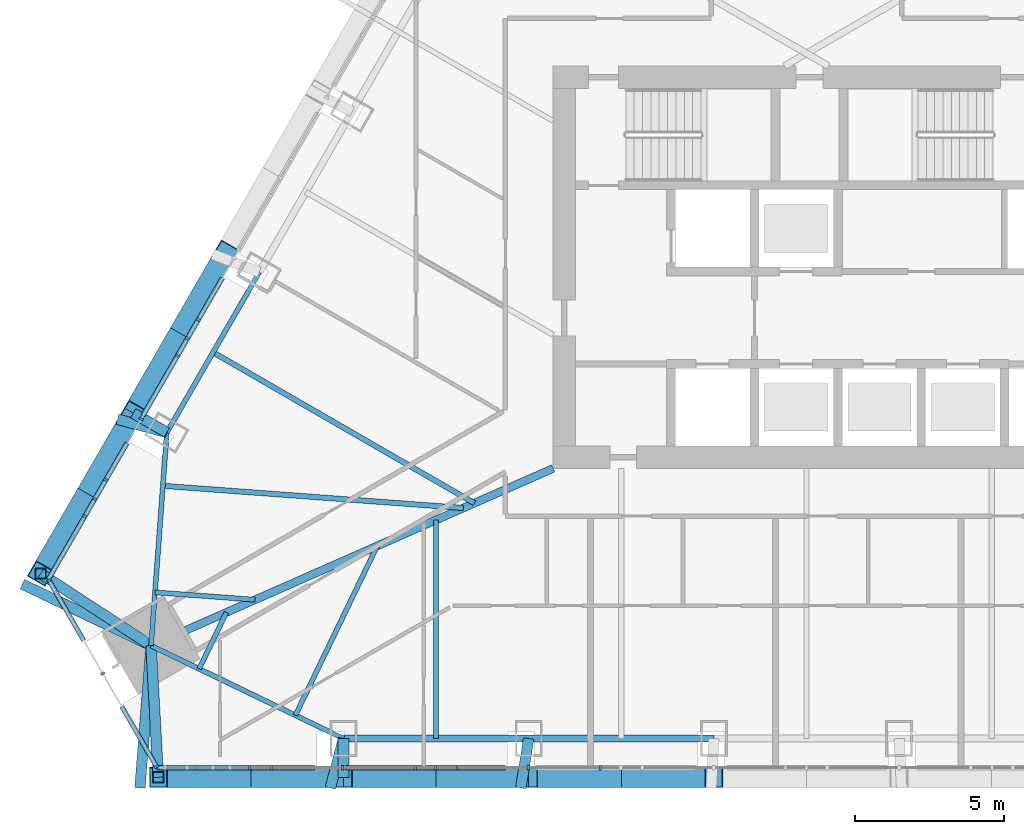
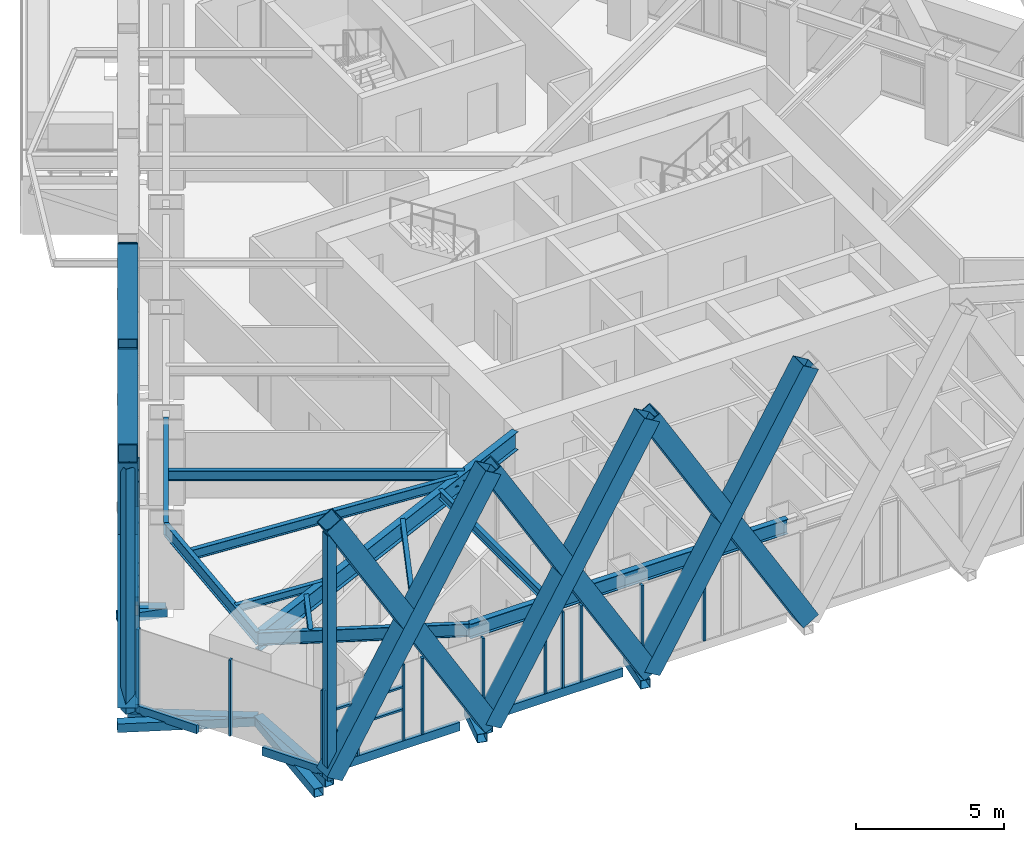
# One storey, part 2 of 23: 49 members, 11 beams, 3 elements without a shape of their own.
"""IFC4 building model written with IfcOpenShell, lengths in metres."""

from ifc_helpers import new_model, si_unit, direction, frame, origin, origin_2d, place, context, subcontext, project, spatial, rectangle, hollow_rectangle, i_section, extrude, material, layer, layer_set, material_profile, profile_set, type_object, element, aggregate, save


model = new_model("IFC4")

# Units and contexts
model_context = context("Model", 3, precision=1e-05, world=origin(), true_north=direction((0.0, 1.0)))
body_context = subcontext(model_context, "Body", "Model", "MODEL_VIEW")
ifc_project = project(units=[si_unit("LENGTHUNIT", "METRE"), si_unit("AREAUNIT", "SQUARE_METRE"), si_unit("VOLUMEUNIT", "CUBIC_METRE"), si_unit("PLANEANGLEUNIT", "RADIAN"), si_unit("MASSUNIT", "GRAM", prefix="KILO")], contexts=[model_context])

# Site, building, storey
site_placement = place(None, origin())
site = spatial("IfcSite", under=ifc_project, at=site_placement, CompositionType="ELEMENT")
building_placement = place(site_placement, origin())
building = spatial("IfcBuilding", under=site, at=building_placement, Name="Firuza Gate Tower and Library", CompositionType="ELEMENT")
storey_placement = place(building_placement, frame((0.0, 0.0, 291.60009765625)))
storey = spatial("IfcBuildingStorey", under=building, at=storey_placement, Name="L70", CompositionType="ELEMENT", Elevation=291.60009765625)

# Members
ifc_material_1 = material(Name="Steel S355", Category="steel")
ifc_material_profile_1 = material_profile(ifc_material_1, hollow_rectangle(XDim=0.699951171875, YDim=0.699951171875, WallThickness=0.030029296875, at=origin_2d()))
ifc_profile_set_1 = profile_set([ifc_material_profile_1], Name="Steel S355")
member_type_1 = type_object("IfcMemberType", Name="BU700x700x30 Lattice brace", PredefinedType="BRACE", material=ifc_profile_set_1)
for number, where, z_axis, x_axis, name in (
    (1, (53.25341796875, 57.8876953125, 0.0), (0.509251027788, 0.0, 0.860618028336), (0.0, 1.0, 0.0), "Lattice brace S 18.1R"),
    (2, (59.466552734375, 57.8876953125, 0.0), (-0.509251027788, 0.0, 0.860618028336), (0.0, -1.0, 0.0), "Lattice brace S 18.1L"),
):
    element("IfcMember", number, at=place(storey_placement, frame(where, z_axis=z_axis, x_axis=x_axis)), inside=storey, type_object=member_type_1, Name=name, PredefinedType="BRACE", context=body_context, shape_type="SweptSolid", body=[
        extrude(hollow_rectangle(XDim=0.699951171875, YDim=0.699951171875, WallThickness=0.030029296875, at=origin_2d()), origin(), (0.0, 0.0, 1.0), 12.200439453125),
    ])
for number, where, z_axis, x_axis, name in (
    (3, (59.466552734375, 57.8876953125, 0.0), (0.509265848717, 0.0, 0.860609258218), (0.0, 1.0, 0.0), "Lattice brace S 18.2R"),
    (4, (65.679931640625, 57.8876953125, 0.0), (-0.509265848717, 0.0, 0.860609258218), (0.0, -1.0, 0.0), "Lattice brace S 18.2L"),
    (5, (65.679931640625, 57.8876953125, 0.0), (0.509265848717, 0.0, 0.860609258218), (0.0, 1.0, 0.0), "Lattice brace S 18.3R"),
    (6, (71.893310546875, 57.8876953125, 0.0), (-0.509265848717, 0.0, 0.860609258218), (0.0, -1.0, 0.0), "Lattice brace S 18.3L"),
    (7, (55.520263671875, 75.48486328125, 0.0), (-0.254633703079, -0.441031576884, 0.860611890138), (0.866021999733, -0.500005895944, 0.0), "Lattice brace W 18.6R"),
    (8, (52.41357421875, 70.10400390625, 0.0), (0.254633703079, 0.441031576884, 0.860611890138), (-0.866021999733, 0.500005895944, 0.0), "Lattice brace W 18.6L"),
    (9, (52.41357421875, 70.10400390625, 0.0), (-0.254631455847, -0.441047694957, 0.860604294938), (0.866031822762, -0.49998888184, 0.0), "Lattice brace W 18.7R"),
    (10, (49.306884765625, 64.722900390625, 0.0), (0.254631455847, 0.441047694957, 0.860604294938), (-0.866031822762, 0.49998888184, 0.0), "Lattice brace W 18.7L"),
):
    element("IfcMember", number, at=place(storey_placement, frame(where, z_axis=z_axis, x_axis=x_axis)), inside=storey, type_object=member_type_1, Name=name, PredefinedType="BRACE", context=body_context, shape_type="SweptSolid", body=[
        extrude(hollow_rectangle(XDim=0.699951171875, YDim=0.699951171875, WallThickness=0.030029296875, at=origin_2d()), origin(), (0.0, 0.0, 1.0), 12.20068359375),
    ])

# Curtain wall, members
ifc_material_2 = material(Name="Aluminium 6063-T6", Category="aluminium")
ifc_layer_1 = layer(ifc_material_2, 0.14990234375)
ifc_layer_set_1 = layer_set([ifc_layer_1], Name="Unitised curtain wall, residences")
curtain_wall_type_1 = type_object("IfcCurtainWallType", Name="Unitised curtain wall, residences", PredefinedType="NOTDEFINED", material=ifc_layer_set_1)
placement = place(storey_placement, origin())
curtain_wall_1 = element("IfcCurtainWall", 11, at=placement, inside=storey, type_object=curtain_wall_type_1, Name="CW3 L70 S face", PredefinedType="NOTDEFINED")
ifc_material_3 = material(Name="Aluminium 6063-T6", Category="aluminium")
ifc_material_profile_2 = material_profile(ifc_material_3, rectangle(XDim=0.14990234375, YDim=0.080078125, at=origin_2d()))
ifc_profile_set_2 = profile_set([ifc_material_profile_2], Name="Aluminium 6063-T6")
member_type_2 = type_object("IfcMemberType", Name="Curtain wall mullion 80x150", PredefinedType="MULLION", material=ifc_profile_set_2)
member_1_placement = place(storey_placement, frame((53.25, 58.212646484375, 0.14990234375), z_axis=(0.0, 0.0, 1.0), x_axis=(0.0, 1.0, 0.0)))
member_1 = element("IfcMember", 12, at=member_1_placement, type_object=member_type_2, Name="Mullion", PredefinedType="MULLION", context=body_context, shape_type="SweptSolid", body=[
    extrude(rectangle(XDim=0.14990234375, YDim=0.080078125, at=origin_2d()), origin(), (0.0, 0.0, 1.0), 3.14990234375),
])
member_2_placement = place(storey_placement, frame((56.322998046875, 58.212646484375, 0.14990234375), z_axis=(0.0, 0.0, 1.0), x_axis=(0.0, 1.0, 0.0)))
member_2 = element("IfcMember", 13, at=member_2_placement, type_object=member_type_2, Name="Mullion", PredefinedType="MULLION", context=body_context, shape_type="SweptSolid", body=[
    extrude(rectangle(XDim=0.14990234375, YDim=0.080078125, at=origin_2d()), origin(), (0.0, 0.0, 1.0), 3.14990234375),
])
member_3_placement = place(storey_placement, frame((59.435791015625, 58.212646484375, 0.14990234375), z_axis=(0.0, 0.0, 1.0), x_axis=(0.0, 1.0, 0.0)))
member_3 = element("IfcMember", 14, at=member_3_placement, type_object=member_type_2, Name="Mullion", PredefinedType="MULLION", context=body_context, shape_type="SweptSolid", body=[
    extrude(rectangle(XDim=0.14990234375, YDim=0.080078125, at=origin_2d()), origin(), (0.0, 0.0, 1.0), 3.14990234375),
])
member_4_placement = place(storey_placement, frame((62.548583984375, 58.212646484375, 0.14990234375), z_axis=(0.0, 0.0, 1.0), x_axis=(0.0, 1.0, 0.0)))
member_4 = element("IfcMember", 15, at=member_4_placement, type_object=member_type_2, Name="Mullion", PredefinedType="MULLION", context=body_context, shape_type="SweptSolid", body=[
    extrude(rectangle(XDim=0.14990234375, YDim=0.080078125, at=origin_2d()), origin(), (0.0, 0.0, 1.0), 3.14990234375),
])
member_5_placement = place(storey_placement, frame((65.661376953125, 58.212646484375, 0.14990234375), z_axis=(0.0, 0.0, 1.0), x_axis=(0.0, 1.0, 0.0)))
member_5 = element("IfcMember", 16, at=member_5_placement, type_object=member_type_2, Name="Mullion", PredefinedType="MULLION", context=body_context, shape_type="SweptSolid", body=[
    extrude(rectangle(XDim=0.14990234375, YDim=0.080078125, at=origin_2d()), origin(), (0.0, 0.0, 1.0), 3.14990234375),
])
member_6_placement = place(storey_placement, frame((54.539306640625, 58.212646484375, 0.14990234375), z_axis=(0.0, 0.0, 1.0), x_axis=(0.0, 1.0, 0.0)))
member_6 = element("IfcMember", 17, at=member_6_placement, type_object=member_type_2, Name="Mullion", PredefinedType="MULLION", context=body_context, shape_type="SweptSolid", body=[
    extrude(rectangle(XDim=0.14990234375, YDim=0.080078125, at=origin_2d()), origin(), (0.0, 0.0, 1.0), 1.260009765625),
])
member_7_placement = place(storey_placement, frame((57.062255859375, 58.212646484375, 0.14990234375), z_axis=(0.0, 0.0, 1.0), x_axis=(0.0, 1.0, 0.0)))
member_7 = element("IfcMember", 18, at=member_7_placement, type_object=member_type_2, Name="Mullion", PredefinedType="MULLION", context=body_context, shape_type="SweptSolid", body=[
    extrude(rectangle(XDim=0.14990234375, YDim=0.080078125, at=origin_2d()), origin(), (0.0, 0.0, 1.0), 3.14990234375),
])
member_8_placement = place(storey_placement, frame((61.87109375, 58.212646484375, 0.14990234375), z_axis=(0.0, 0.0, 1.0), x_axis=(0.0, 1.0, 0.0)))
member_8 = element("IfcMember", 19, at=member_8_placement, type_object=member_type_2, Name="Mullion", PredefinedType="MULLION", context=body_context, shape_type="SweptSolid", body=[
    extrude(rectangle(XDim=0.14990234375, YDim=0.080078125, at=origin_2d()), origin(), (0.0, 0.0, 1.0), 3.14990234375),
])
member_9_placement = place(storey_placement, frame((63.275634765625, 58.212646484375, 0.14990234375), z_axis=(0.0, 0.0, 1.0), x_axis=(0.0, 1.0, 0.0)))
member_9 = element("IfcMember", 20, at=member_9_placement, type_object=member_type_2, Name="Mullion", PredefinedType="MULLION", context=body_context, shape_type="SweptSolid", body=[
    extrude(rectangle(XDim=0.14990234375, YDim=0.080078125, at=origin_2d()), origin(), (0.0, 0.0, 1.0), 3.14990234375),
])
member_10_placement = place(storey_placement, frame((68.08447265625, 58.212646484375, 0.14990234375), z_axis=(0.0, 0.0, 1.0), x_axis=(0.0, 1.0, 0.0)))
member_10 = element("IfcMember", 21, at=member_10_placement, type_object=member_type_2, Name="Mullion", PredefinedType="MULLION", context=body_context, shape_type="SweptSolid", body=[
    extrude(rectangle(XDim=0.14990234375, YDim=0.080078125, at=origin_2d()), origin(), (0.0, 0.0, 1.0), 3.14990234375),
])

curtain_wall_2 = element("IfcCurtainWall", 22, at=placement, inside=storey, type_object=curtain_wall_type_1, Name="CW3 L70 W face", PredefinedType="NOTDEFINED")
member_11_placement = place(storey_placement, frame((54.236083984375, 72.6103515625, 0.14990234375), z_axis=(0.0, 0.0, 1.0), x_axis=(0.866025403784, -0.5, 0.0)))
member_11 = element("IfcMember", 23, at=member_11_placement, type_object=member_type_2, Name="Mullion", PredefinedType="MULLION", context=body_context, shape_type="SweptSolid", body=[
    extrude(rectangle(XDim=0.14990234375, YDim=0.080078125, at=origin_2d()), origin(), (0.0, 0.0, 1.0), 3.14990234375),
])
member_12_placement = place(storey_placement, frame((52.6796875, 69.91455078125, 0.14990234375), z_axis=(0.0, 0.0, 1.0), x_axis=(0.866025403784, -0.5, 0.0)))
member_12 = element("IfcMember", 24, at=member_12_placement, type_object=member_type_2, Name="Mullion", PredefinedType="MULLION", context=body_context, shape_type="SweptSolid", body=[
    extrude(rectangle(XDim=0.14990234375, YDim=0.080078125, at=origin_2d()), origin(), (0.0, 0.0, 1.0), 3.14990234375),
])
member_13_placement = place(storey_placement, frame((51.123046875, 67.21875, 0.14990234375), z_axis=(0.0, 0.0, 1.0), x_axis=(0.866025403784, -0.5, 0.0)))
member_13 = element("IfcMember", 25, at=member_13_placement, type_object=member_type_2, Name="Mullion", PredefinedType="MULLION", context=body_context, shape_type="SweptSolid", body=[
    extrude(rectangle(XDim=0.14990234375, YDim=0.080078125, at=origin_2d()), origin(), (0.0, 0.0, 1.0), 3.14990234375),
])
member_14_placement = place(storey_placement, frame((54.599609375, 73.239990234375, 0.14990234375), z_axis=(0.0, 0.0, 1.0), x_axis=(0.866025403784, -0.5, 0.0)))
member_14 = element("IfcMember", 26, at=member_14_placement, type_object=member_type_2, Name="Mullion", PredefinedType="MULLION", context=body_context, shape_type="SweptSolid", body=[
    extrude(rectangle(XDim=0.14990234375, YDim=0.080078125, at=origin_2d()), origin(), (0.0, 0.0, 1.0), 3.14990234375),
])
member_15_placement = place(storey_placement, frame((53.897216796875, 72.023681640625, 0.14990234375), z_axis=(0.0, 0.0, 1.0), x_axis=(0.866025403784, -0.5, 0.0)))
member_15 = element("IfcMember", 27, at=member_15_placement, type_object=member_type_2, Name="Mullion", PredefinedType="MULLION", context=body_context, shape_type="SweptSolid", body=[
    extrude(rectangle(XDim=0.14990234375, YDim=0.080078125, at=origin_2d()), origin(), (0.0, 0.0, 1.0), 3.14990234375),
])
member_16_placement = place(storey_placement, frame((51.492919921875, 67.859130859375, 0.14990234375), z_axis=(0.0, 0.0, 1.0), x_axis=(0.866025403784, -0.5, 0.0)))
member_16 = element("IfcMember", 28, at=member_16_placement, type_object=member_type_2, Name="Mullion", PredefinedType="MULLION", context=body_context, shape_type="SweptSolid", body=[
    extrude(rectangle(XDim=0.14990234375, YDim=0.080078125, at=origin_2d()), origin(), (0.0, 0.0, 1.0), 3.14990234375),
])
member_17_placement = place(storey_placement, frame((50.79052734375, 66.642822265625, 0.14990234375), z_axis=(0.0, 0.0, 1.0), x_axis=(0.866025403784, -0.5, 0.0)))
member_17 = element("IfcMember", 29, at=member_17_placement, type_object=member_type_2, Name="Mullion", PredefinedType="MULLION", context=body_context, shape_type="SweptSolid", body=[
    extrude(rectangle(XDim=0.14990234375, YDim=0.080078125, at=origin_2d()), origin(), (0.0, 0.0, 1.0), 3.14990234375),
])

ifc_material_4 = material(Name="Aluminium 6063-T6", Category="aluminium")
ifc_layer_2 = layer(ifc_material_4, 0.14990234375)
ifc_layer_set_2 = layer_set([ifc_layer_2], Name="Corner curtain wall, chamfers")
curtain_wall_type_2 = type_object("IfcCurtainWallType", Name="Corner curtain wall, chamfers", PredefinedType="NOTDEFINED", material=ifc_layer_set_2)
curtain_wall_3 = element("IfcCurtainWall", 30, at=placement, inside=storey, type_object=curtain_wall_type_2, Name="CW4 L70 SW corner", PredefinedType="NOTDEFINED")
member_18_placement = place(storey_placement, frame((49.586669921875, 64.48828125, 0.14990234375), z_axis=(0.0, 0.0, 1.0), x_axis=(0.866025403784, 0.5, 0.0)))
member_18 = element("IfcMember", 31, at=member_18_placement, type_object=member_type_2, Name="Mullion", PredefinedType="MULLION", context=body_context, shape_type="SweptSolid", body=[
    extrude(rectangle(XDim=0.14990234375, YDim=0.080078125, at=origin_2d()), origin(), (0.0, 0.0, 1.0), 3.14990234375),
])
member_19_placement = place(storey_placement, frame((51.388427734375, 61.367919921875, 0.14990234375), z_axis=(0.0, 0.0, 1.0), x_axis=(0.866025403784, 0.5, 0.0)))
member_19 = element("IfcMember", 32, at=member_19_placement, type_object=member_type_2, Name="Mullion", PredefinedType="MULLION", context=body_context, shape_type="SweptSolid", body=[
    extrude(rectangle(XDim=0.14990234375, YDim=0.080078125, at=origin_2d()), origin(), (0.0, 0.0, 1.0), 3.14990234375),
])
member_20_placement = place(storey_placement, frame((53.18994140625, 58.247314453125, 0.14990234375), z_axis=(0.0, 0.0, 1.0), x_axis=(0.866025403784, 0.5, 0.0)))
member_20 = element("IfcMember", 33, at=member_20_placement, type_object=member_type_2, Name="Mullion", PredefinedType="MULLION", context=body_context, shape_type="SweptSolid", body=[
    extrude(rectangle(XDim=0.14990234375, YDim=0.080078125, at=origin_2d()), origin(), (0.0, 0.0, 1.0), 3.14990234375),
])

# Member
ifc_material_5 = material(Name="Aluminium 6063-T6", Category="aluminium")
ifc_material_profile_3 = material_profile(ifc_material_5, rectangle(XDim=0.14990234375, YDim=0.35009765625, at=origin_2d()))
ifc_profile_set_3 = profile_set([ifc_material_profile_3], Name="Aluminium 6063-T6")
member_type_3 = type_object("IfcMemberType", Name="Curtain wall transom 350x150", PredefinedType="USERDEFINED", material=ifc_profile_set_3)
member_21_placement = place(storey_placement, frame((53.2099609375, 58.212646484375, -0.025146484375), z_axis=(1.0, 0.0, 0.0), x_axis=(0.0, 1.0, 0.0)))
member_21 = element("IfcMember", 34, at=member_21_placement, type_object=member_type_3, Name="Transom", ObjectType="TRANSOM", PredefinedType="USERDEFINED", context=body_context, shape_type="SweptSolid", body=[
    extrude(rectangle(XDim=0.14990234375, YDim=0.35009765625, at=origin_2d()), origin(), (0.0, 0.0, 1.0), 5.2890625),
])

member_22_placement = place(storey_placement, frame((59.55419921875, 58.212646484375, -0.025146484375), z_axis=(1.0, 0.0, 0.0), x_axis=(0.0, 1.0, 0.0)))
member_22 = element("IfcMember", 35, at=member_22_placement, type_object=member_type_3, Name="Transom", ObjectType="TRANSOM", PredefinedType="USERDEFINED", context=body_context, shape_type="SweptSolid", body=[
    extrude(rectangle(XDim=0.14990234375, YDim=0.35009765625, at=origin_2d()), origin(), (0.0, 0.0, 1.0), 5.334228515625),
])

member_23_placement = place(storey_placement, frame((55.406005859375, 74.636962890625, -0.025146484375), z_axis=(-0.500012982194, -0.866017908382, 0.0), x_axis=(0.866017908382, -0.500012982194, 0.0)))
member_23 = element("IfcMember", 36, at=member_23_placement, type_object=member_type_3, Name="Transom", ObjectType="TRANSOM", PredefinedType="USERDEFINED", context=body_context, shape_type="SweptSolid", body=[
    extrude(rectangle(XDim=0.14990234375, YDim=0.35009765625, at=origin_2d()), origin(), (0.0, 0.0, 1.0), 5.334228515625),
])

member_24_placement = place(storey_placement, frame((52.211181640625, 69.103515625, -0.025146484375), z_axis=(-0.499991492324, -0.866030315638, 0.0), x_axis=(0.866030315638, -0.499991492324, 0.0)))
member_24 = element("IfcMember", 37, at=member_24_placement, type_object=member_type_3, Name="Transom", ObjectType="TRANSOM", PredefinedType="USERDEFINED", context=body_context, shape_type="SweptSolid", body=[
    extrude(rectangle(XDim=0.14990234375, YDim=0.35009765625, at=origin_2d()), origin(), (0.0, 0.0, 1.0), 5.2890625),
])

aggregate(curtain_wall_2, [member_11, member_12, member_13, member_23, member_24, member_14, member_15, member_16, member_17])

member_25_placement = place(storey_placement, frame((49.566650390625, 64.52294921875, -0.025146484375), z_axis=(0.500005632288, -0.866022151957, 0.0), x_axis=(0.866022151957, 0.500005632288, 0.0)))
member_25 = element("IfcMember", 38, at=member_25_placement, type_object=member_type_3, Name="Transom", ObjectType="TRANSOM", PredefinedType="USERDEFINED", context=body_context, shape_type="SweptSolid", body=[
    extrude(rectangle(XDim=0.14990234375, YDim=0.35009765625, at=origin_2d()), origin(), (0.0, 0.0, 1.0), 2.36328125),
])

member_26_placement = place(storey_placement, frame((52.0283203125, 60.25927734375, -0.025146484375), z_axis=(0.500005632288, -0.866022151957, 0.0), x_axis=(0.866022151957, 0.500005632288, 0.0)))
member_26 = element("IfcMember", 39, at=member_26_placement, type_object=member_type_3, Name="Transom", ObjectType="TRANSOM", PredefinedType="USERDEFINED", context=body_context, shape_type="SweptSolid", body=[
    extrude(rectangle(XDim=0.14990234375, YDim=0.35009765625, at=origin_2d()), origin(), (0.0, 0.0, 1.0), 2.36328125),
])

aggregate(curtain_wall_3, [member_18, member_19, member_20, member_25, member_26])

ifc_material_6 = material(Name="Aluminium 6063-T6", Category="aluminium")
ifc_material_profile_4 = material_profile(ifc_material_6, rectangle(XDim=0.14990234375, YDim=0.080078125, at=origin_2d()))
ifc_profile_set_4 = profile_set([ifc_material_profile_4], Name="Aluminium 6063-T6")
member_type_4 = type_object("IfcMemberType", Name="Curtain wall transom 80x150", PredefinedType="USERDEFINED", material=ifc_profile_set_4)
member_27_placement = place(storey_placement, frame((53.25, 58.212646484375, 1.449951171875), z_axis=(1.0, 0.0, 0.0), x_axis=(0.0, 1.0, 0.0)))
member_27 = element("IfcMember", 40, at=member_27_placement, type_object=member_type_4, Name="Transom", ObjectType="TRANSOM", PredefinedType="USERDEFINED", context=body_context, shape_type="SweptSolid", body=[
    extrude(rectangle(XDim=0.14990234375, YDim=0.080078125, at=origin_2d()), origin(), (0.0, 0.0, 1.0), 3.032958984375),
])

member_28_placement = place(storey_placement, frame((53.25, 58.212646484375, 2.375), z_axis=(1.0, 0.0, 0.0), x_axis=(0.0, 1.0, 0.0)))
member_28 = element("IfcMember", 41, at=member_28_placement, type_object=member_type_4, Name="Transom", ObjectType="TRANSOM", PredefinedType="USERDEFINED", context=body_context, shape_type="SweptSolid", body=[
    extrude(rectangle(XDim=0.14990234375, YDim=0.080078125, at=origin_2d()), origin(), (0.0, 0.0, 1.0), 3.032958984375),
])

aggregate(curtain_wall_1, [member_1, member_2, member_3, member_4, member_5, member_21, member_22, member_6, member_27, member_28, member_7, member_8, member_9, member_10])

# Members
ifc_material_7 = material(Name="Steel S355", Category="steel")
ifc_material_profile_5 = material_profile(ifc_material_7, hollow_rectangle(XDim=0.355712890625, YDim=0.355712890625, WallThickness=0.014892578125, at=origin_2d()))
ifc_profile_set_5 = profile_set([ifc_material_profile_5], Name="Steel S355")
member_type_5 = type_object("IfcMemberType", Name="HSS356x356x16 Lattice corner stile", PredefinedType="BRACE", material=ifc_profile_set_5)
for number, where, z_axis, x_axis, name in (
    (42, (53.25341796875, 57.8876953125, -0.14013671875), (0.0, 0.0, 1.0), (1.0, 0.0, 0.0), "Lattice corner stile S 18.A"),
    (43, (49.306884765625, 64.722900390625, -0.14013671875), (0.0, 0.0, 1.0), (1.0, 0.0, 0.0), "Lattice corner stile W 18.B"),
):
    element("IfcMember", number, at=place(storey_placement, frame(where, z_axis=z_axis, x_axis=x_axis)), inside=storey, type_object=member_type_5, Name=name, PredefinedType="BRACE", context=body_context, shape_type="SweptSolid", body=[
        extrude(hollow_rectangle(XDim=0.355712890625, YDim=0.355712890625, WallThickness=0.014892578125, at=origin_2d()), origin(), (0.0, 0.0, 1.0), 10.14013671875),
    ])
ifc_material_8 = material(Name="Steel S355", Category="steel")
ifc_material_profile_6 = material_profile(ifc_material_8, hollow_rectangle(XDim=0.355712890625, YDim=0.355712890625, WallThickness=0.014892578125, at=origin_2d()))
ifc_profile_set_6 = profile_set([ifc_material_profile_6], Name="Steel S355")
member_type_6 = type_object("IfcMemberType", Name="HSS356x356x16 Lattice node tie", PredefinedType="BRACE", material=ifc_profile_set_6)
member_29_placement = place(storey_placement, frame((53.01220703125, 62.305419921875, -0.320068359375), z_axis=(-0.078267757464, -0.996932373906, 0.0), x_axis=(0.996932373906, -0.078267757464, 0.0)))
element("IfcMember", 44, at=member_29_placement, inside=storey, type_object=member_type_6, Name="Lattice node tie S L70 475", PredefinedType="BRACE", context=body_context, shape_type="SweptSolid", body=[
    extrude(hollow_rectangle(XDim=0.355712890625, YDim=0.355712890625, WallThickness=0.014892578125, at=origin_2d()), origin(), (0.0, 0.0, 1.0), 4.7880859375),
])
member_30_placement = place(storey_placement, frame((53.01220703125, 62.305419921875, -0.320068359375), z_axis=(0.054519511079, -0.998512705433, 0.0), x_axis=(0.998512705433, 0.054519511079, 0.0)))
element("IfcMember", 45, at=member_30_placement, inside=storey, type_object=member_type_6, Name="Lattice node tie S L70 476", PredefinedType="BRACE", context=body_context, shape_type="SweptSolid", body=[
    extrude(hollow_rectangle(XDim=0.355712890625, YDim=0.355712890625, WallThickness=0.014892578125, at=origin_2d()), origin(), (0.0, 0.0, 1.0), 4.42431640625),
])
member_31_placement = place(storey_placement, frame((59.466552734375, 59.187744140625, -0.320068359375), z_axis=(-0.256793327243, -0.966466340378, 0.0), x_axis=(0.966466340378, -0.256793327243, 0.0)))
element("IfcMember", 46, at=member_31_placement, inside=storey, type_object=member_type_6, Name="Lattice node tie S L70 477", PredefinedType="BRACE", context=body_context, shape_type="SweptSolid", body=[
    extrude(hollow_rectangle(XDim=0.355712890625, YDim=0.355712890625, WallThickness=0.014892578125, at=origin_2d()), origin(), (0.0, 0.0, 1.0), 1.713134765625),
])
member_32_placement = place(storey_placement, frame((59.466552734375, 59.187744140625, -0.320068359375), z_axis=(0.0, -1.0, 0.0), x_axis=(1.0, 0.0, 0.0)))
element("IfcMember", 47, at=member_32_placement, inside=storey, type_object=member_type_6, Name="Lattice node tie S L70 478", PredefinedType="BRACE", context=body_context, shape_type="SweptSolid", body=[
    extrude(hollow_rectangle(XDim=0.355712890625, YDim=0.355712890625, WallThickness=0.014892578125, at=origin_2d()), origin(), (0.0, 0.0, 1.0), 1.300048828125),
])
member_33_placement = place(storey_placement, frame((65.679931640625, 59.187744140625, -0.320068359375), z_axis=(-0.157405530455, -0.987534049531, 0.0), x_axis=(0.987534049531, -0.157405530455, 0.0)))
element("IfcMember", 48, at=member_33_placement, inside=storey, type_object=member_type_6, Name="Lattice node tie S L70 479", PredefinedType="BRACE", context=body_context, shape_type="SweptSolid", body=[
    extrude(hollow_rectangle(XDim=0.355712890625, YDim=0.355712890625, WallThickness=0.014892578125, at=origin_2d()), origin(), (0.0, 0.0, 1.0), 1.6767578125),
])
member_34_placement = place(storey_placement, frame((53.01220703125, 62.305419921875, -0.320068359375), z_axis=(-0.902515271089, 0.430657851956, 0.0), x_axis=(-0.430657851956, -0.902515271089, 0.0)))
element("IfcMember", 49, at=member_34_placement, inside=storey, type_object=member_type_6, Name="Lattice node tie W L70 487", PredefinedType="BRACE", context=body_context, shape_type="SweptSolid", body=[
    extrude(hollow_rectangle(XDim=0.355712890625, YDim=0.355712890625, WallThickness=0.014892578125, at=origin_2d()), origin(), (0.0, 0.0, 1.0), 4.7880859375),
])
member_35_placement = place(storey_placement, frame((53.01220703125, 62.305419921875, -0.320068359375), z_axis=(-0.837510682777, 0.546420951496, 0.0), x_axis=(-0.546420951496, -0.837510682777, 0.0)))
element("IfcMember", 50, at=member_35_placement, inside=storey, type_object=member_type_6, Name="Lattice node tie W L70 488", PredefinedType="BRACE", context=body_context, shape_type="SweptSolid", body=[
    extrude(hollow_rectangle(XDim=0.355712890625, YDim=0.355712890625, WallThickness=0.014892578125, at=origin_2d()), origin(), (0.0, 0.0, 1.0), 4.42431640625),
])
member_36_placement = place(storey_placement, frame((53.539306640625, 69.453857421875, -0.320068359375), z_axis=(-0.965392491391, 0.260801337355, 0.0), x_axis=(-0.260801337355, -0.965392491391, 0.0)))
element("IfcMember", 51, at=member_36_placement, inside=storey, type_object=member_type_6, Name="Lattice node tie W L70 489", PredefinedType="BRACE", context=body_context, shape_type="SweptSolid", body=[
    extrude(hollow_rectangle(XDim=0.355712890625, YDim=0.355712890625, WallThickness=0.014892578125, at=origin_2d()), origin(), (0.0, 0.0, 1.0), 1.713134765625),
])
member_37_placement = place(storey_placement, frame((53.539306640625, 69.453857421875, -0.320068359375), z_axis=(-0.86595725628, 0.500118016368, 0.0), x_axis=(-0.500118016368, -0.86595725628, 0.0)))
element("IfcMember", 52, at=member_37_placement, inside=storey, type_object=member_type_6, Name="Lattice node tie W L70 490", PredefinedType="BRACE", context=body_context, shape_type="SweptSolid", body=[
    extrude(hollow_rectangle(XDim=0.355712890625, YDim=0.355712890625, WallThickness=0.014892578125, at=origin_2d()), origin(), (0.0, 0.0, 1.0), 1.300048828125),
])

# Beams
ifc_material_9 = material(Name="Steel S355", Category="steel")
ifc_material_profile_7 = material_profile(ifc_material_9, i_section(OverallWidth=0.1650390625, OverallDepth=0.31005859375, WebThickness=0.005859375, FlangeThickness=0.009765625, at=origin_2d()))
ifc_profile_set_7 = profile_set([ifc_material_profile_7], Name="Steel S355")
beam_type_1 = type_object("IfcBeamType", Name="W310x39 Floor beam", PredefinedType="JOIST", material=ifc_profile_set_7)
beam_1_placement = place(storey_placement, frame((53.14404296875, 64.092529296875, 3.14501953125), z_axis=(0.997292409208, -0.073538089019, 0.0), x_axis=(0.073538089019, 0.997292409208, 0.0)))
element("IfcBeam", 53, at=beam_1_placement, inside=storey, type_object=beam_type_1, Name="Floor beam L70 s01", PredefinedType="JOIST", context=body_context, shape_type="SweptSolid", body=[
    extrude(i_section(OverallWidth=0.1650390625, OverallDepth=0.31005859375, WebThickness=0.005859375, FlangeThickness=0.009765625, at=origin_2d()), origin(), (0.0, 0.0, 1.0), 3.36962890625),
])
beam_2_placement = place(storey_placement, frame((54.625732421875, 61.52587890625, 3.14501953125), z_axis=(0.434960061589, 0.900449745862, 0.0), x_axis=(-0.900449745862, 0.434960061589, 0.0)))
element("IfcBeam", 54, at=beam_2_placement, inside=storey, type_object=beam_type_1, Name="Floor beam L70 s10", PredefinedType="JOIST", context=body_context, shape_type="SweptSolid", body=[
    extrude(i_section(OverallWidth=0.1650390625, OverallDepth=0.31005859375, WebThickness=0.005859375, FlangeThickness=0.009765625, at=origin_2d()), origin(), (0.0, 0.0, 1.0), 2.103271484375),
])
beam_3_placement = place(storey_placement, frame((57.85302734375, 59.967041015625, 3.14501953125), z_axis=(0.434960061589, 0.900449745862, 0.0), x_axis=(-0.900449745862, 0.434960061589, 0.0)))
element("IfcBeam", 55, at=beam_3_placement, inside=storey, type_object=beam_type_1, Name="Floor beam L70 s11", PredefinedType="JOIST", context=body_context, shape_type="SweptSolid", body=[
    extrude(i_section(OverallWidth=0.1650390625, OverallDepth=0.31005859375, WebThickness=0.005859375, FlangeThickness=0.009765625, at=origin_2d()), origin(), (0.0, 0.0, 1.0), 6.3095703125),
])
ifc_material_10 = material(Name="Steel S355", Category="steel")
ifc_material_profile_8 = material_profile(ifc_material_10, i_section(OverallWidth=0.1708984375, OverallDepth=0.35498046875, WebThickness=0.007080078125, FlangeThickness=0.01171875, at=origin_2d()))
ifc_profile_set_8 = profile_set([ifc_material_profile_8], Name="Steel S355")
beam_type_2 = type_object("IfcBeamType", Name="W360x51 Floor beam", PredefinedType="JOIST", material=ifc_profile_set_8)
beam_4_placement = place(storey_placement, frame((62.5732421875, 59.187744140625, 3.122314453125), z_axis=(0.0, 1.0, 0.0), x_axis=(-1.0, 0.0, 0.0)))
element("IfcBeam", 56, at=beam_4_placement, inside=storey, type_object=beam_type_2, Name="Floor beam L70 s20", PredefinedType="JOIST", context=body_context, shape_type="SweptSolid", body=[
    extrude(i_section(OverallWidth=0.1708984375, OverallDepth=0.35498046875, WebThickness=0.007080078125, FlangeThickness=0.01171875, at=origin_2d()), origin(), (0.0, 0.0, 1.0), 7.33154296875),
])
ifc_material_11 = material(Name="Steel S355", Category="steel")
ifc_material_profile_9 = material_profile(ifc_material_11, i_section(OverallWidth=0.177978515625, OverallDepth=0.406982421875, WebThickness=0.0078125, FlangeThickness=0.0126953125, at=origin_2d()))
ifc_profile_set_9 = profile_set([ifc_material_profile_9], Name="Steel S355")
beam_type_3 = type_object("IfcBeamType", Name="W410x60 Floor beam", PredefinedType="JOIST", material=ifc_profile_set_9)
beam_5_placement = place(storey_placement, frame((53.40771484375, 67.666748046875, 3.096435546875), z_axis=(0.997290637753, -0.073562108793, 0.0), x_axis=(0.073562108793, 0.997290637753, 0.0)))
element("IfcBeam", 57, at=beam_5_placement, inside=storey, type_object=beam_type_3, Name="Floor beam L70 s00", PredefinedType="JOIST", context=body_context, shape_type="SweptSolid", body=[
    extrude(i_section(OverallWidth=0.177978515625, OverallDepth=0.406982421875, WebThickness=0.0078125, FlangeThickness=0.0126953125, at=origin_2d()), origin(), (0.0, 0.0, 1.0), 10.109130859375),
])
beam_6_placement = place(storey_placement, frame((55.0927734375, 72.144287109375, 3.096435546875), z_axis=(0.866025277505, -0.500000218722, 0.0), x_axis=(0.500000218722, 0.866025277505, 0.0)))
element("IfcBeam", 58, at=beam_6_placement, inside=storey, type_object=beam_type_3, Name="Floor beam L70 s84", PredefinedType="JOIST", context=body_context, shape_type="SweptSolid", body=[
    extrude(i_section(OverallWidth=0.177978515625, OverallDepth=0.406982421875, WebThickness=0.0078125, FlangeThickness=0.0126953125, at=origin_2d()), origin(), (0.0, 0.0, 1.0), 10.119140625),
])
ifc_material_12 = material(Name="Steel S355", Category="steel")
ifc_material_profile_10 = material_profile(ifc_material_12, i_section(OverallWidth=0.166015625, OverallDepth=0.534912109375, WebThickness=0.01025390625, FlangeThickness=0.0166015625, at=origin_2d()))
ifc_profile_set_10 = profile_set([ifc_material_profile_10], Name="Steel S355")
beam_type_4 = type_object("IfcBeamType", Name="W530x85 Edge beam", PredefinedType="SPANDREL", material=ifc_profile_set_10)
beam_7_placement = place(storey_placement, frame((53.539306640625, 69.453857421875, 3.032470703125), z_axis=(-0.073536698526, -0.997292511739, 0.0), x_axis=(0.997292511739, -0.073536698526, 0.0)))
element("IfcBeam", 59, at=beam_7_placement, inside=storey, type_object=beam_type_4, Name="Edge beam L70 e00", PredefinedType="SPANDREL", context=body_context, shape_type="SweptSolid", body=[
    extrude(i_section(OverallWidth=0.166015625, OverallDepth=0.534912109375, WebThickness=0.01025390625, FlangeThickness=0.0166015625, at=origin_2d()), origin(), (0.0, 0.0, 1.0), 7.167724609375),
])
beam_8_placement = place(storey_placement, frame((53.01220703125, 62.305419921875, 3.032470703125), z_axis=(0.900454129451, -0.434950986613, 0.0), x_axis=(0.434950986613, 0.900454129451, 0.0)))
element("IfcBeam", 60, at=beam_8_placement, inside=storey, type_object=beam_type_4, Name="Edge beam L70 e10", PredefinedType="SPANDREL", context=body_context, shape_type="SweptSolid", body=[
    extrude(i_section(OverallWidth=0.166015625, OverallDepth=0.534912109375, WebThickness=0.01025390625, FlangeThickness=0.0166015625, at=origin_2d()), origin(), (0.0, 0.0, 1.0), 7.16796875),
])
beam_9_placement = place(storey_placement, frame((56.64599609375, 74.834716796875, 3.032470703125), z_axis=(-0.500005895944, -0.866021999733, 0.0), x_axis=(0.866021999733, -0.500005895944, 0.0)))
element("IfcBeam", 61, at=beam_9_placement, inside=storey, type_object=beam_type_4, Name="Edge beam L70 e84", PredefinedType="SPANDREL", context=body_context, shape_type="SweptSolid", body=[
    extrude(i_section(OverallWidth=0.166015625, OverallDepth=0.534912109375, WebThickness=0.01025390625, FlangeThickness=0.0166015625, at=origin_2d()), origin(), (0.0, 0.0, 1.0), 6.21337890625),
])
ifc_material_13 = material(Name="Steel S355", Category="steel")
ifc_material_profile_11 = material_profile(ifc_material_13, i_section(OverallWidth=0.22900390625, OverallDepth=0.612060546875, WebThickness=0.011962890625, FlangeThickness=0.01953125, at=origin_2d()))
ifc_profile_set_11 = profile_set([ifc_material_profile_11], Name="Steel S355")
beam_type_5 = type_object("IfcBeamType", Name="W610x125 Edge beam", PredefinedType="SPANDREL", material=ifc_profile_set_11)
beam_10_placement = place(storey_placement, frame((59.466552734375, 59.187744140625, 2.993896484375), z_axis=(1.0, 0.0, 0.0), x_axis=(0.0, 1.0, 0.0)))
element("IfcBeam", 62, at=beam_10_placement, inside=storey, type_object=beam_type_5, Name="Edge beam L70 e20", PredefinedType="SPANDREL", context=body_context, shape_type="SweptSolid", body=[
    extrude(i_section(OverallWidth=0.22900390625, OverallDepth=0.612060546875, WebThickness=0.011962890625, FlangeThickness=0.01953125, at=origin_2d()), origin(), (0.0, 0.0, 1.0), 12.4267578125),
])
ifc_material_14 = material(Name="Steel S355", Category="steel")
ifc_material_profile_12 = material_profile(ifc_material_14, i_section(OverallWidth=0.264892578125, OverallDepth=0.7529296875, WebThickness=0.01318359375, FlangeThickness=0.01708984375, at=origin_2d()))
ifc_profile_set_12 = profile_set([ifc_material_profile_12], Name="Steel S355")
beam_type_6 = type_object("IfcBeamType", Name="W760x147 Girder", PredefinedType="BEAM", material=ifc_profile_set_12)
beam_11_placement = place(storey_placement, frame((53.01220703125, 62.305419921875, 2.92333984375), z_axis=(0.915065983609, 0.403304160209, 0.0), x_axis=(-0.403304160209, 0.915065983609, 0.0)))
element("IfcBeam", 63, at=beam_11_placement, inside=storey, type_object=beam_type_6, Name="Girder L70 gSW", PredefinedType="BEAM", context=body_context, shape_type="SweptSolid", body=[
    extrude(i_section(OverallWidth=0.264892578125, OverallDepth=0.7529296875, WebThickness=0.01318359375, FlangeThickness=0.01708984375, at=origin_2d()), origin(), (0.0, 0.0, 1.0), 14.73974609375),
])

save(model, "model.ifc")
